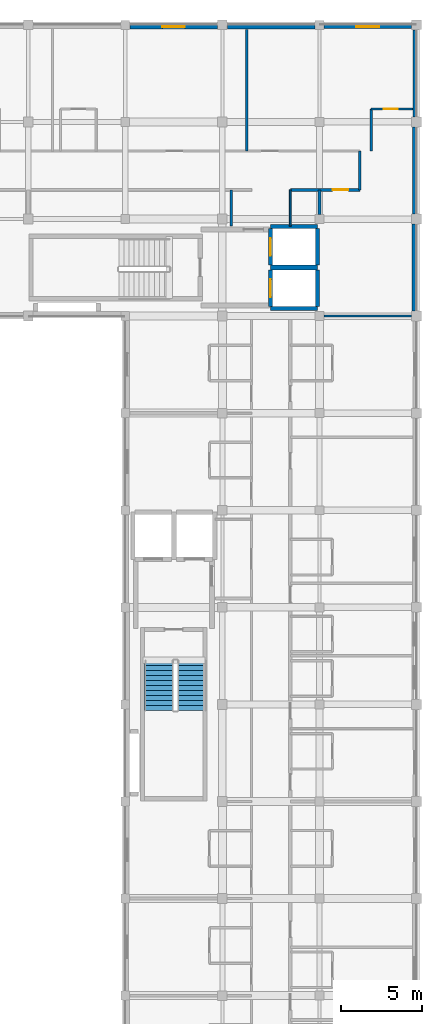
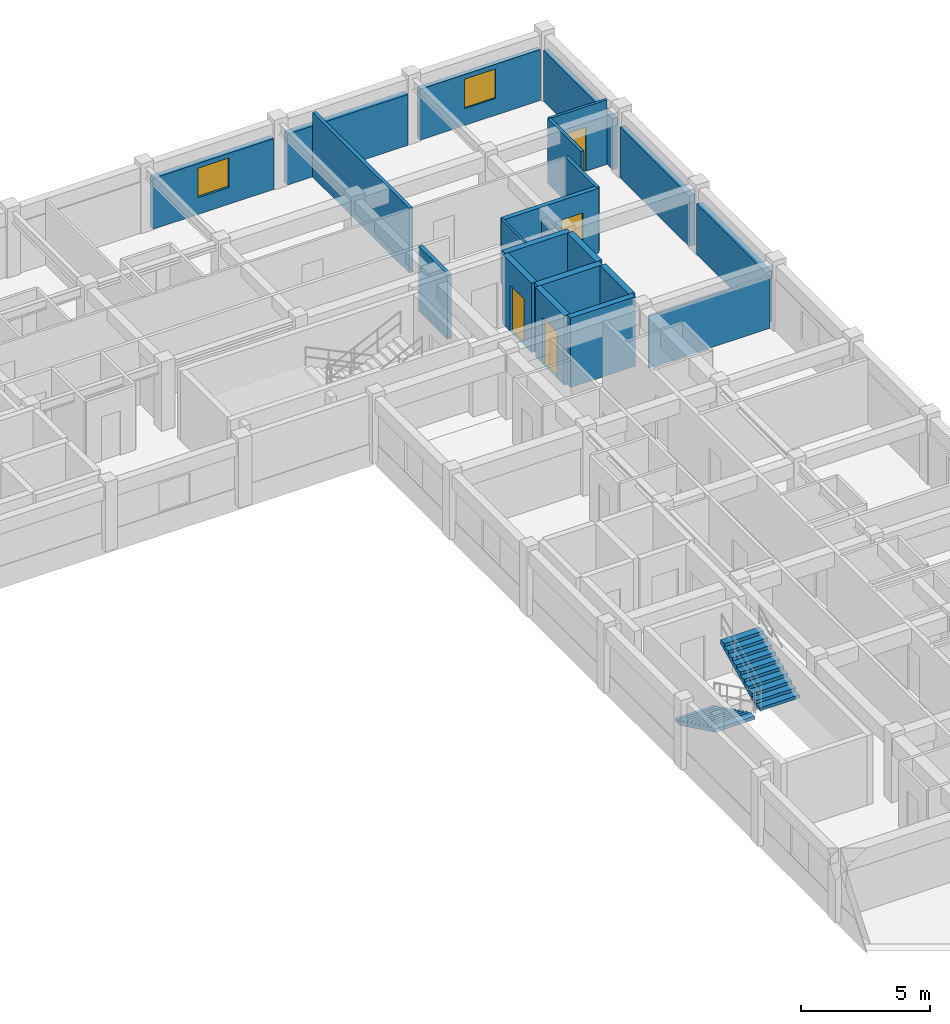
# One storey, part 15 of 21: 22 walls, 4 doors, 2 stair flights, 2 windows, 6 openings, 1 element without a shape of its own.
"""IFC4 building model written with IfcOpenShell, lengths in metres."""

import ifcopenshell
import ifcopenshell.guid

model = None  # the IFC model being written
_history = None  # IfcOwnerHistory: only IFC2X3 demands one
_inside = {}  # id of a spatial element -> (the spatial element, [elements in it])
_under = {}  # id of a project, library or spatial element -> (it, [spatial elements below it])
_declared = {}  # id of a project -> (the project, [libraries it declares])
_typed = {}  # id of a type object -> (the type object, [elements of that type])
_made_of = {}  # id of a material, layer set ... -> (it, [elements and type objects made of it])


def new_model(schema):
    """Start an empty IFC model of exactly this schema.

    Asked for "IFC4X3", IfcOpenShell would pick the latest addendum, in which some entities
    have other attributes; the version numbers below select the first issue.
    IFC2X3 requires an IfcOwnerHistory on every rooted entity: one is made here for all.
    """
    global model, _history
    if schema == "IFC4X3":
        model = ifcopenshell.file(schema_version=(4, 3, 0, 0))
    else:
        model = ifcopenshell.file(schema=schema)
    _inside.clear()
    _under.clear()
    _declared.clear()
    _typed.clear()
    _made_of.clear()
    _history = None
    if model.schema == "IFC2X3":
        org = make("IfcOrganization", Name="unknown")
        user = make(
            "IfcPersonAndOrganization",
            ThePerson=make("IfcPerson", FamilyName="unknown"),
            TheOrganization=org,
        )
        app = make(
            "IfcApplication",
            ApplicationDeveloper=org,
            Version="unknown",
            ApplicationFullName="unknown",
            ApplicationIdentifier="unknown",
        )
        _history = make(
            "IfcOwnerHistory",
            OwningUser=user,
            OwningApplication=app,
            ChangeAction="ADDED",
            CreationDate=0,
        )
    return model


def make(cls, **values):
    """One entity of the class cls with the attributes given. An attribute that is None is left unset."""
    return model.create_entity(
        cls, **{name: value for name, value in values.items() if value is not None}
    )


def rooted(cls, **values):
    """An entity with a GlobalId (a new one), such as an element, a storey or a relation."""
    return make(cls, GlobalId=ifcopenshell.guid.new(), OwnerHistory=_history, **values)


def si_unit(unit_type, name, prefix=None):
    """IfcSIUnit, for example si_unit("LENGTHUNIT", "METRE", prefix="MILLI")."""
    return make("IfcSIUnit", UnitType=unit_type, Prefix=prefix, Name=name)


def assignment(units):
    """IfcUnitAssignment: the units of a project."""
    return None if units is None else make("IfcUnitAssignment", Units=units)


def point(xyz):
    """IfcCartesianPoint."""
    return None if xyz is None else make("IfcCartesianPoint", Coordinates=xyz)


def direction(xyz):
    """IfcDirection."""
    return None if xyz is None else make("IfcDirection", DirectionRatios=xyz)


def frame(location, z_axis=None, x_axis=None):
    """IfcAxis2Placement3D, a coordinate frame: its origin and axes. An axis left out is left unset."""
    return make(
        "IfcAxis2Placement3D",
        Location=point(location),
        Axis=direction(z_axis),
        RefDirection=direction(x_axis),
    )


def frame_2d(location, x_axis=None):
    """IfcAxis2Placement2D, a coordinate frame in the plane: its origin and x axis."""
    return make(
        "IfcAxis2Placement2D", Location=point(location), RefDirection=direction(x_axis)
    )


def origin():
    """The frame at (0, 0, 0) with its axes left unset."""
    return frame((0.0, 0.0, 0.0))


def place(relative_to, where):
    """IfcLocalPlacement: puts the frame where relative to a parent placement (None: the world)."""
    return make(
        "IfcLocalPlacement", PlacementRelTo=relative_to, RelativePlacement=where
    )


def context(
    kind, dimensions, precision=None, world=None, true_north=None, identifier=None
):
    """IfcGeometricRepresentationContext, for example the 3D "Model" context."""
    return make(
        "IfcGeometricRepresentationContext",
        ContextIdentifier=identifier,
        ContextType=kind,
        CoordinateSpaceDimension=dimensions,
        Precision=precision,
        WorldCoordinateSystem=world,
        TrueNorth=true_north,
    )


def subcontext(parent, identifier, kind, view, scale=None):
    """IfcGeometricRepresentationSubContext, for example "Body" below "Model"."""
    return make(
        "IfcGeometricRepresentationSubContext",
        ContextIdentifier=identifier,
        ContextType=kind,
        ParentContext=parent,
        TargetScale=scale,
        TargetView=view,
    )


def project(units=None, contexts=None):
    """IfcProject with its units and contexts."""
    return rooted(
        "IfcProject",
        Name="project",
        RepresentationContexts=contexts,
        UnitsInContext=assignment(units),
    )


def spatial(cls, under=None, at=None, **own):
    """A site, building, storey or space (cls), placed at a placement, below another one or the project."""
    s = rooted(cls, ObjectPlacement=at, **own)
    if under is not None:
        _under.setdefault(under.id(), (under, []))[1].append(s)
    return s


def polyline(points):
    """IfcPolyline through the points."""
    return make("IfcPolyline", Points=[point(p) for p in points])


def profile(cls, at=None, kind="AREA", **sizes):
    """A parametric profile (cls). Its sizes go by their IFC names, for example OverallWidth=200.0."""
    return make(cls, ProfileType=kind, Position=at, **sizes)


def rectangle(**sizes):
    """IfcRectangleProfileDef."""
    return profile("IfcRectangleProfileDef", **sizes)


def outline(outer, holes=None, kind="AREA"):
    """IfcArbitraryClosedProfileDef: a profile drawn as a closed curve; with holes, ...WithVoids."""
    if holes is None:
        return make("IfcArbitraryClosedProfileDef", ProfileType=kind, OuterCurve=outer)
    return make(
        "IfcArbitraryProfileDefWithVoids",
        ProfileType=kind,
        OuterCurve=outer,
        InnerCurves=holes,
    )


def extrude(swept, where, along, depth):
    """IfcExtrudedAreaSolid: the profile swept, set in the frame where, extruded along a direction by depth."""
    return make(
        "IfcExtrudedAreaSolid",
        SweptArea=swept,
        Position=where,
        ExtrudedDirection=direction(along),
        Depth=depth,
    )


def shape(context_of_items, identifier, shape_type, items):
    """IfcShapeRepresentation: the items that make up one representation, for example the "Body"."""
    return make(
        "IfcShapeRepresentation",
        ContextOfItems=context_of_items,
        RepresentationIdentifier=identifier,
        RepresentationType=shape_type,
        Items=items,
    )


def material(Name=None, Category=None):
    """IfcMaterial."""
    return make("IfcMaterial", Name=Name, Category=Category)


def layer(
    of_material, thickness, ventilated=None, Name=None, Category=None, Priority=None
):
    """IfcMaterialLayer: one layer of a wall or slab, of a material (None: an air gap)."""
    return make(
        "IfcMaterialLayer",
        Material=of_material,
        LayerThickness=thickness,
        IsVentilated=ventilated,
        Name=Name,
        Category=Category,
        Priority=Priority,
    )


def layer_set(layers, Name=None):
    """IfcMaterialLayerSet."""
    return make("IfcMaterialLayerSet", MaterialLayers=layers, LayerSetName=Name)


def made_of(thing, what):
    """Note that an element or type object is made of a material, layer set ...; save() writes the relation."""
    if what is not None:
        _made_of.setdefault(what.id(), (what, []))[1].append(thing)
    return thing


def type_object(cls, material=None, **own):
    """A type object (cls), such as IfcWallType, which elements share."""
    return made_of(rooted(cls, **own), material)


def element(
    cls,
    number,
    at=None,
    inside=None,
    cuts=None,
    type_object=None,
    material=None,
    context=None,
    identifier="Body",
    shape_type=None,
    held_by="IfcProductDefinitionShape",
    body=None,
    shapes=None,
    **own,
):
    """One element of the class cls, such as IfcWall. Its Tag is "e" and its number.

    at: its placement. inside: the storey or other place that contains it. cuts: it is an
    opening in that element (IfcRelVoidsElement). A single representation is given by context,
    identifier, shape_type and body (its items); several are given by shapes. held_by: the class
    of the entity that holds the representations. save() writes the other relations.
    """
    e = rooted(cls, Tag="e%d" % number, ObjectPlacement=at, **own)
    if body is not None:
        shapes = [shape(context, identifier, shape_type, body)]
    if shapes is not None:
        e.Representation = make(held_by, Representations=shapes)
    if inside is not None:
        _inside.setdefault(inside.id(), (inside, []))[1].append(e)
    if cuts is not None:
        rooted(
            "IfcRelVoidsElement", RelatingBuildingElement=cuts, RelatedOpeningElement=e
        )
    if type_object is not None:
        _typed.setdefault(type_object.id(), (type_object, []))[1].append(e)
    return made_of(e, material)


def fill(opening, filler):
    """IfcRelFillsElement: the door or window that sits in an opening."""
    return rooted(
        "IfcRelFillsElement",
        RelatingOpeningElement=opening,
        RelatedBuildingElement=filler,
    )


def aggregate(whole, parts):
    """IfcRelAggregates: a whole, such as a stair, and the parts it consists of."""
    return rooted("IfcRelAggregates", RelatingObject=whole, RelatedObjects=parts)


def save(model, path):
    """Write the relations noted so far, then the file.

    IfcRelAggregates (storeys below a building ...), IfcRelContainedInSpatialStructure (elements
    in a storey), IfcRelDefinesByType, IfcRelAssociatesMaterial and IfcRelDeclares: one each for
    every whole, place, type object, material and project.
    """
    for whole, parts in _under.values():
        aggregate(whole, parts)
    for where, things in _inside.values():
        rooted(
            "IfcRelContainedInSpatialStructure",
            RelatedElements=things,
            RelatingStructure=where,
        )
    for kind, things in _typed.values():
        rooted("IfcRelDefinesByType", RelatedObjects=things, RelatingType=kind)
    for what, things in _made_of.values():
        rooted("IfcRelAssociatesMaterial", RelatedObjects=things, RelatingMaterial=what)
    for by, libraries in _declared.values():
        rooted("IfcRelDeclares", RelatingContext=by, RelatedDefinitions=libraries)
    model.write(path)


model = new_model("IFC4")

# Units and contexts
model_context = context("Model", 3, precision=1e-05, world=origin(), true_north=direction((0.0, 1.0)))
body_context = subcontext(model_context, "Body", "Model", "MODEL_VIEW")
ifc_project = project(units=[si_unit("LENGTHUNIT", "METRE"), si_unit("AREAUNIT", "SQUARE_METRE"), si_unit("VOLUMEUNIT", "CUBIC_METRE"), si_unit("PLANEANGLEUNIT", "RADIAN"), si_unit("MASSUNIT", "GRAM", prefix="KILO"), si_unit("THERMODYNAMICTEMPERATUREUNIT", "KELVIN"), si_unit("POWERUNIT", "WATT")], contexts=[model_context])

# Site, building, storey
site_placement = place(None, origin())
site = spatial("IfcSite", under=ifc_project, at=site_placement, CompositionType="ELEMENT")
building_placement = place(site_placement, origin())
building = spatial("IfcBuilding", under=site, at=building_placement, Name="Phaisarnlok Congress Hotel", CompositionType="ELEMENT")
storey_placement = place(building_placement, frame((0.0, 0.0, 31.5)))
storey = spatial("IfcBuildingStorey", under=building, at=storey_placement, Name="L07", CompositionType="ELEMENT", Elevation=31.5)

# Wall, opening, window
ifc_material_1 = material(Name="Concrete C40/50", Category="concrete")
ifc_layer_1 = layer(ifc_material_1, 0.2099609375, Name="Concrete C40/50")
ifc_layer_set_1 = layer_set([ifc_layer_1], Name="Concrete C40/50")
wall_type_1 = type_object("IfcWallType", Name="WL-EXT-210", PredefinedType="SOLIDWALL", material=ifc_layer_set_1)
wall_1_placement = place(storey_placement, frame((179.695068359375, 125.89501953125, 0.0), z_axis=(0.0, 0.0, 1.0), x_axis=(-1.0, 0.0, 0.0)))
wall_1 = element("IfcWall", 1, at=wall_1_placement, inside=storey, type_object=wall_type_1, Name="Exterior wall EW-07 (L07)", PredefinedType="SOLIDWALL", context=body_context, shape_type="SweptSolid", body=[
    extrude(rectangle(XDim=5.4150390625, YDim=0.2099609375, at=frame_2d((2.70751953125, 0.0))), origin(), (0.0, 0.0, 1.0), 2.419921875),
])
opening_1_placement = place(wall_1_placement, frame((2.007080078125, 0.0, 0.800048828125)))
opening_1 = element("IfcOpeningElement", 2, at=opening_1_placement, cuts=wall_1, Name="Opening W-13", PredefinedType="OPENING", context=body_context, shape_type="SweptSolid", body=[
    extrude(rectangle(XDim=1.39990234375, YDim=1.39990234375, at=frame_2d((0.699951171875, 0.699951171875))), frame((0.0, 0.114990234375, 0.0), z_axis=(0.0, -1.0, 0.0), x_axis=(1.0, 0.0, 0.0)), (0.0, 0.0, 1.0), 0.22998046875),
])
ifc_material_2 = material(Name="Thermally Broken Aluminium & Low-E Double Glazing", Category="aluminium")
window_type = type_object("IfcWindowType", Name="WIN-POD-1400", PartitioningType="SINGLE_PANEL", PredefinedType="WINDOW", material=ifc_material_2)
window_1_placement = place(opening_1_placement, origin())
window_1 = element("IfcWindow", 3, at=window_1_placement, inside=storey, type_object=window_type, Name="Guestroom window W-13 (L07)", OverallHeight=1.39990234375, OverallWidth=1.39990234375, PartitioningType="SINGLE_PANEL", PredefinedType="WINDOW", context=body_context, shape_type="SweptSolid", body=[
    extrude(rectangle(XDim=1.39990234375, YDim=1.39990234375, at=frame_2d((0.699951171875, 0.699951171875))), frame((0.0, 0.030029296875, 0.0), z_axis=(0.0, -1.0, 0.0), x_axis=(1.0, 0.0, 0.0)), (0.0, 0.0, 1.0), 0.06005859375),
])
fill(opening_1, window_1)

# Walls
ifc_layer_2 = layer(ifc_material_1, 0.22998046875, Name="Concrete C40/50")
ifc_layer_set_2 = layer_set([ifc_layer_2], Name="Concrete C40/50")
wall_type_2 = type_object("IfcWallType", Name="WL-EXT-230", PredefinedType="SOLIDWALL", material=ifc_layer_set_2)
wall_2_placement = place(storey_placement, frame((179.885009765625, 120.304931640625, 0.0), z_axis=(0.0, 0.0, 1.0), x_axis=(0.0, 1.0, 0.0)))
element("IfcWall", 4, at=wall_2_placement, inside=storey, type_object=wall_type_2, Name="Exterior wall EW-06 (L07)", PredefinedType="SOLIDWALL", context=body_context, shape_type="SweptSolid", body=[
    extrude(rectangle(XDim=5.39013671875, YDim=0.22998046875, at=frame_2d((2.695068359375, 0.0))), origin(), (0.0, 0.0, 1.0), 2.419921875),
])
ifc_layer_3 = layer(ifc_material_1, 0.25, Name="Concrete C40/50")
ifc_layer_set_3 = layer_set([ifc_layer_3], Name="Concrete C40/50")
wall_type_3 = type_object("IfcWallType", Name="WL-EXT-250", PredefinedType="SOLIDWALL", material=ifc_layer_set_3)
wall_3_placement = place(storey_placement, frame((179.875, 114.304931640625, 0.0), z_axis=(0.0, 0.0, 1.0), x_axis=(0.0, 1.0, 0.0)))
element("IfcWall", 5, at=wall_3_placement, inside=storey, type_object=wall_type_3, Name="Exterior wall EW-05 (L07)", PredefinedType="SOLIDWALL", context=body_context, shape_type="SweptSolid", body=[
    extrude(rectangle(XDim=5.39013671875, YDim=0.25, at=frame_2d((2.695068359375, 0.0))), origin(), (0.0, 0.0, 1.0), 2.419921875),
])

# Wall, opening, window
wall_4_placement = place(storey_placement, frame((167.695068359375, 125.875, 0.0), z_axis=(0.0, 0.0, 1.0), x_axis=(-1.0, 0.0, 0.0)))
wall_4 = element("IfcWall", 6, at=wall_4_placement, inside=storey, type_object=wall_type_3, Name="Exterior wall EW-05 (L07)", PredefinedType="SOLIDWALL", context=body_context, shape_type="SweptSolid", body=[
    extrude(rectangle(XDim=5.4150390625, YDim=0.25, at=frame_2d((2.70751953125, 0.0))), origin(), (0.0, 0.0, 1.0), 2.419921875),
])
opening_2_placement = place(wall_4_placement, frame((2.007080078125, 0.0, 0.800048828125)))
opening_2 = element("IfcOpeningElement", 7, at=opening_2_placement, cuts=wall_4, Name="Opening W-13", PredefinedType="OPENING", context=body_context, shape_type="SweptSolid", body=[
    extrude(rectangle(XDim=1.39990234375, YDim=1.39990234375, at=frame_2d((0.699951171875, 0.699951171875))), frame((0.0, 0.135009765625, 0.0), z_axis=(0.0, -1.0, 0.0), x_axis=(1.0, 0.0, 0.0)), (0.0, 0.0, 1.0), 0.27001953125),
])
window_2_placement = place(opening_2_placement, origin())
window_2 = element("IfcWindow", 8, at=window_2_placement, inside=storey, type_object=window_type, Name="Guestroom window W-13 (L07)", OverallHeight=1.39990234375, OverallWidth=1.39990234375, PartitioningType="SINGLE_PANEL", PredefinedType="WINDOW", context=body_context, shape_type="SweptSolid", body=[
    extrude(rectangle(XDim=1.39990234375, YDim=1.39990234375, at=frame_2d((0.699951171875, 0.699951171875))), frame((0.0, 0.030029296875, 0.0), z_axis=(0.0, -1.0, 0.0), x_axis=(1.0, 0.0, 0.0)), (0.0, 0.0, 1.0), 0.06005859375),
])
fill(opening_2, window_2)

# Walls
ifc_layer_4 = layer(ifc_material_1, 0.27001953125, Name="Concrete C40/50")
ifc_layer_set_4 = layer_set([ifc_layer_4], Name="Concrete C40/50")
wall_type_4 = type_object("IfcWallType", Name="WL-EXT-270", PredefinedType="SOLIDWALL", material=ifc_layer_set_4)
wall_5_placement = place(storey_placement, frame((179.864990234375, 108.304931640625, 0.0), z_axis=(0.0, 0.0, 1.0), x_axis=(0.0, 1.0, 0.0)))
element("IfcWall", 9, at=wall_5_placement, inside=storey, type_object=wall_type_4, Name="Exterior wall EW-04 (L07)", PredefinedType="SOLIDWALL", context=body_context, shape_type="SweptSolid", body=[
    extrude(rectangle(XDim=5.39013671875, YDim=0.27001953125, at=frame_2d((2.695068359375, 0.0))), origin(), (0.0, 0.0, 1.0), 2.419921875),
])
wall_6_placement = place(storey_placement, frame((173.719970703125, 125.864990234375, 0.0), z_axis=(0.0, 0.0, 1.0), x_axis=(-1.0, 0.0, 0.0)))
element("IfcWall", 10, at=wall_6_placement, inside=storey, type_object=wall_type_4, Name="Exterior wall EW-04 (L07)", PredefinedType="SOLIDWALL", context=body_context, shape_type="SweptSolid", body=[
    extrude(rectangle(XDim=5.4150390625, YDim=0.27001953125, at=frame_2d((2.70751953125, 0.0))), origin(), (0.0, 0.0, 1.0), 2.419921875),
])
ifc_material_3 = material(Name="Service Riser Shaftwall Partition", Category="gypsum")
ifc_layer_5 = layer(ifc_material_3, 0.10498046875, Name="Service Riser Shaftwall Partition")
ifc_layer_set_5 = layer_set([ifc_layer_5], Name="Service Riser Shaftwall Partition")
wall_type_5 = type_object("IfcWallType", Name="WL-INT-105", PredefinedType="PARTITIONING", material=ifc_layer_set_5)
wall_7_placement = place(storey_placement, frame((172.199951171875, 113.56005859375, 0.0), z_axis=(0.0, 0.0, 1.0), x_axis=(0.0, 1.0, 0.0)))
element("IfcWall", 11, at=wall_7_placement, inside=storey, type_object=wall_type_5, Name="Interior partition wall IW-08 (L07)", PredefinedType="PARTITIONING", context=body_context, shape_type="SweptSolid", body=[
    extrude(rectangle(XDim=2.239990234375, YDim=0.10498046875, at=frame_2d((1.1201171875, 0.0))), origin(), (0.0, 0.0, 1.0), 3.070068359375),
])
wall_8_placement = place(storey_placement, frame((174.280029296875, 108.0, 0.0), z_axis=(0.0, 0.0, 1.0), x_axis=(1.0, 0.0, 0.0)))
element("IfcWall", 12, at=wall_8_placement, inside=storey, type_object=wall_type_5, Name="Interior partition wall IW-08 (L07)", PredefinedType="PARTITIONING", context=body_context, shape_type="SweptSolid", body=[
    extrude(rectangle(XDim=5.4150390625, YDim=0.10498046875, at=frame_2d((2.70751953125, 0.0))), origin(), (0.0, 0.0, 1.0), 2.469970703125),
])

# Wall, opening, door
ifc_material_4 = material(Name="Lightweight Metal-Stud Gypsum Partition", Category="gypsum")
ifc_layer_6 = layer(ifc_material_4, 0.1201171875, Name="Lightweight Metal-Stud Gypsum Partition")
ifc_layer_set_6 = layer_set([ifc_layer_6], Name="Lightweight Metal-Stud Gypsum Partition")
wall_type_6 = type_object("IfcWallType", Name="WL-INT-120", PredefinedType="PARTITIONING", material=ifc_layer_set_6)
wall_9_placement = place(storey_placement, frame((177.199951171875, 120.800048828125, 0.0), z_axis=(0.0, 0.0, 1.0), x_axis=(1.0, 0.0, 0.0)))
wall_9 = element("IfcWall", 13, at=wall_9_placement, inside=storey, type_object=wall_type_6, Name="Interior partition wall IW-07 (L07)", PredefinedType="PARTITIONING", context=body_context, shape_type="SweptSolid", body=[
    extrude(rectangle(XDim=2.56494140625, YDim=0.1201171875, at=frame_2d((1.282470703125, 0.0))), origin(), (0.0, 0.0, 1.0), 3.070068359375),
])
opening_3_placement = place(wall_9_placement, frame((0.77490234375, 0.0, 0.0)))
opening_3 = element("IfcOpeningElement", 14, at=opening_3_placement, cuts=wall_9, Name="Opening D-0353", PredefinedType="OPENING", context=body_context, shape_type="SweptSolid", body=[
    extrude(rectangle(XDim=0.85009765625, YDim=2.10009765625, at=frame_2d((0.425048828125, 1.050048828125))), frame((0.0, 0.070068359375, 0.0), z_axis=(0.0, -1.0, 0.0), x_axis=(1.0, 0.0, 0.0)), (0.0, 0.0, 1.0), 0.14013671875),
])
ifc_material_5 = material(Name="Moisture-Resistant Lacquered Timber", Category="wood")
door_type_1 = type_object("IfcDoorType", Name="DR-BATH-850", OperationType="NOTDEFINED", PredefinedType="DOOR", material=ifc_material_5)
door_1_placement = place(opening_3_placement, origin())
door_1 = element("IfcDoor", 15, at=door_1_placement, inside=storey, type_object=door_type_1, Name="Interior door D-0353 (L07)", OperationType="SINGLE_SWING_LEFT", OverallHeight=2.10009765625, OverallWidth=0.85009765625, PredefinedType="DOOR", context=body_context, shape_type="SweptSolid", body=[
    extrude(rectangle(XDim=0.85009765625, YDim=2.10009765625, at=frame_2d((0.425048828125, 1.050048828125))), frame((0.0, 0.02490234375, 0.0), z_axis=(0.0, -1.0, 0.0), x_axis=(1.0, 0.0, 0.0)), (0.0, 0.0, 1.0), 0.050048828125),
])
fill(opening_3, door_1)

# Walls
ifc_material_6 = material(Name="Moisture-Resistant Gypsum Partition", Category="gypsum")
ifc_layer_7 = layer(ifc_material_6, 0.135009765625, Name="Moisture-Resistant Gypsum Partition")
ifc_layer_set_7 = layer_set([ifc_layer_7], Name="Moisture-Resistant Gypsum Partition")
wall_type_7 = type_object("IfcWallType", Name="WL-INT-135", PredefinedType="PARTITIONING", material=ifc_layer_set_7)
wall_10_placement = place(storey_placement, frame((177.199951171875, 118.199951171875, 0.0), z_axis=(0.0, 0.0, 1.0), x_axis=(0.0, 1.0, 0.0)))
element("IfcWall", 16, at=wall_10_placement, inside=storey, type_object=wall_type_7, Name="Interior partition wall IW-06 (L07)", PredefinedType="PARTITIONING", context=body_context, shape_type="SweptSolid", body=[
    extrude(rectangle(XDim=2.60009765625, YDim=0.135009765625, at=frame_2d((1.300048828125, 0.0))), origin(), (0.0, 0.0, 1.0), 3.070068359375),
])
ifc_material_7 = material(Name="Acoustic Gypsum Board & Mineral Wool", Category="gypsum")
ifc_layer_8 = layer(ifc_material_7, 0.14990234375, Name="Acoustic Gypsum Board & Mineral Wool")
ifc_layer_set_8 = layer_set([ifc_layer_8], Name="Acoustic Gypsum Board & Mineral Wool")
wall_type_8 = type_object("IfcWallType", Name="WL-INT-150", PredefinedType="PARTITIONING", material=ifc_layer_set_8)
wall_11_placement = place(storey_placement, frame((176.5, 115.800048828125, 0.0), z_axis=(0.0, 0.0, 1.0), x_axis=(0.0, 1.0, 0.0)))
element("IfcWall", 17, at=wall_11_placement, inside=storey, type_object=wall_type_8, Name="Interior partition wall IW-05 (L07)", PredefinedType="PARTITIONING", context=body_context, shape_type="SweptSolid", body=[
    extrude(rectangle(XDim=2.39990234375, YDim=0.14990234375, at=frame_2d((1.199951171875, 0.0))), origin(), (0.0, 0.0, 1.0), 3.070068359375),
])
ifc_material_8 = material(Name="Double-Stud Acoustic Gypsum Partition", Category="gypsum")
ifc_layer_9 = layer(ifc_material_8, 0.159912109375, Name="Double-Stud Acoustic Gypsum Partition")
ifc_layer_set_9 = layer_set([ifc_layer_9], Name="Double-Stud Acoustic Gypsum Partition")
wall_type_9 = type_object("IfcWallType", Name="WL-INT-160", PredefinedType="PARTITIONING", material=ifc_layer_set_9)
wall_12_placement = place(storey_placement, frame((169.5, 118.199951171875, 0.0), z_axis=(0.0, 0.0, 1.0), x_axis=(0.0, 1.0, 0.0)))
element("IfcWall", 18, at=wall_12_placement, inside=storey, type_object=wall_type_9, Name="Interior partition wall IW-04 (L07)", PredefinedType="PARTITIONING", context=body_context, shape_type="SweptSolid", body=[
    extrude(rectangle(XDim=7.525146484375, YDim=0.159912109375, at=frame_2d((3.7626953125, 0.0))), origin(), (0.0, 0.0, 1.0), 3.070068359375),
])
ifc_material_9 = material(Name="Autoclaved Aerated Concrete Block", Category="concrete")
ifc_layer_10 = layer(ifc_material_9, 0.179931640625, Name="Autoclaved Aerated Concrete Block")
ifc_layer_set_10 = layer_set([ifc_layer_10], Name="Autoclaved Aerated Concrete Block")
wall_type_10 = type_object("IfcWallType", Name="WL-INT-180", PredefinedType="PARTITIONING", material=ifc_layer_set_10)
wall_13_placement = place(storey_placement, frame((168.550048828125, 113.56005859375, 0.0), z_axis=(0.0, 0.0, 1.0), x_axis=(0.0, 1.0, 0.0)))
element("IfcWall", 19, at=wall_13_placement, inside=storey, type_object=wall_type_10, Name="Interior partition wall IW-03 (L07)", PredefinedType="PARTITIONING", context=body_context, shape_type="SweptSolid", body=[
    extrude(rectangle(XDim=2.239990234375, YDim=0.179931640625, at=frame_2d((1.1201171875, 0.0))), origin(), (0.0, 0.0, 1.0), 3.070068359375),
])
wall_14_placement = place(storey_placement, frame((174.0, 114.280029296875, 0.0), z_axis=(0.0, 0.0, 1.0), x_axis=(0.0, 1.0, 0.0)))
element("IfcWall", 20, at=wall_14_placement, inside=storey, type_object=wall_type_10, Name="Interior partition wall IW-03 (L07)", PredefinedType="PARTITIONING", context=body_context, shape_type="SweptSolid", body=[
    extrude(rectangle(XDim=1.52001953125, YDim=0.179931640625, at=frame_2d((0.760009765625, 0.0))), origin(), (0.0, 0.0, 1.0), 2.52001953125),
])

# Wall, opening, door
ifc_layer_11 = layer(ifc_material_9, 0.199951171875, Name="Autoclaved Aerated Concrete Block")
ifc_layer_set_11 = layer_set([ifc_layer_11], Name="Autoclaved Aerated Concrete Block")
wall_type_11 = type_object("IfcWallType", Name="WL-INT-200", PredefinedType="PARTITIONING", material=ifc_layer_set_11)
wall_15_placement = place(storey_placement, frame((172.199951171875, 115.800048828125, 0.0), z_axis=(0.0, 0.0, 1.0), x_axis=(1.0, 0.0, 0.0)))
wall_15 = element("IfcWall", 21, at=wall_15_placement, inside=storey, type_object=wall_type_11, Name="Interior partition wall IW-02 (L07)", PredefinedType="PARTITIONING", context=body_context, shape_type="SweptSolid", body=[
    extrude(rectangle(XDim=4.300048828125, YDim=0.199951171875, at=frame_2d((2.14990234375, 0.0))), origin(), (0.0, 0.0, 1.0), 3.070068359375),
])
opening_4_placement = place(wall_15_placement, frame((2.6201171875, 0.0, 0.0)))
opening_4 = element("IfcOpeningElement", 22, at=opening_4_placement, cuts=wall_15, Name="Opening D-0381", PredefinedType="OPENING", context=body_context, shape_type="SweptSolid", body=[
    extrude(rectangle(XDim=0.9599609375, YDim=2.14990234375, at=frame_2d((0.47998046875, 1.074951171875))), frame((0.0, 0.10986328125, 0.0), z_axis=(0.0, -1.0, 0.0), x_axis=(1.0, 0.0, 0.0)), (0.0, 0.0, 1.0), 0.219970703125),
])
ifc_material_10 = material(Name="Fire-Rated Steel Frame & Timber Leaf", Category="steel")
door_type_2 = type_object("IfcDoorType", Name="DR-FD60-950", OperationType="NOTDEFINED", PredefinedType="DOOR", material=ifc_material_10)
door_2_placement = place(opening_4_placement, origin())
door_2 = element("IfcDoor", 23, at=door_2_placement, inside=storey, type_object=door_type_2, Name="Interior door D-0381 (L07)", OperationType="SINGLE_SWING_LEFT", OverallHeight=2.14990234375, OverallWidth=0.9599609375, PredefinedType="DOOR", context=body_context, shape_type="SweptSolid", body=[
    extrude(rectangle(XDim=0.9599609375, YDim=2.14990234375, at=frame_2d((0.47998046875, 1.074951171875))), frame((0.0, 0.02490234375, 0.0), z_axis=(0.0, -1.0, 0.0), x_axis=(1.0, 0.0, 0.0)), (0.0, 0.0, 1.0), 0.050048828125),
])
fill(opening_4, door_2)

# Walls
ifc_material_11 = material(Name="Concrete C50/60", Category="concrete")
ifc_layer_12 = layer(ifc_material_11, 0.260009765625, Name="Concrete C50/60")
ifc_layer_set_12 = layer_set([ifc_layer_12], Name="Concrete C50/60")
wall_type_12 = type_object("IfcWallType", Name="WL-SHR-260", PredefinedType="SHEAR", material=ifc_layer_set_12)
wall_16_placement = place(storey_placement, frame((170.969970703125, 108.469970703125, 0.0), z_axis=(0.0, 0.0, 1.0), x_axis=(1.0, 0.0, 0.0)))
element("IfcWall", 24, at=wall_16_placement, inside=storey, type_object=wall_type_12, Name="Lift shaft shear wall SW-04 (LF-FF1 L07)", PredefinedType="SHEAR", context=body_context, shape_type="SweptSolid", body=[
    extrude(rectangle(XDim=2.909912109375, YDim=0.260009765625, at=frame_2d((1.455078125, 0.0))), origin(), (0.0, 0.0, 1.0), 3.300048828125),
])
wall_17_placement = place(storey_placement, frame((173.8798828125, 108.60009765625, 0.0), z_axis=(0.0, 0.0, 1.0), x_axis=(0.0, 1.0, 0.0)))
element("IfcWall", 25, at=wall_17_placement, inside=storey, type_object=wall_type_12, Name="Lift shaft shear wall SW-04 (LF-FF1 L07)", PredefinedType="SHEAR", context=body_context, shape_type="SweptSolid", body=[
    extrude(rectangle(XDim=2.25, YDim=0.260009765625, at=frame_2d((1.125, 0.0))), origin(), (0.0, 0.0, 1.0), 3.300048828125),
])

# Wall, opening, door
wall_18_placement = place(storey_placement, frame((170.969970703125, 108.60009765625, 0.0), z_axis=(0.0, 0.0, 1.0), x_axis=(0.0, 1.0, 0.0)))
wall_18 = element("IfcWall", 26, at=wall_18_placement, inside=storey, type_object=wall_type_12, Name="Lift shaft front wall SW-04 (LF-FF1 L07)", PredefinedType="SHEAR", context=body_context, shape_type="SweptSolid", body=[
    extrude(rectangle(XDim=2.25, YDim=0.260009765625, at=frame_2d((1.125, 0.0))), origin(), (0.0, 0.0, 1.0), 3.300048828125),
])
opening_5_placement = place(wall_18_placement, frame((0.574951171875, 0.0, 0.0)))
opening_5 = element("IfcOpeningElement", 27, at=opening_5_placement, cuts=wall_18, Name="Opening LD-009", PredefinedType="OPENING", context=body_context, shape_type="SweptSolid", body=[
    extrude(rectangle(XDim=1.10009765625, YDim=2.199951171875, at=frame_2d((0.550048828125, 1.10009765625))), frame((0.0, 0.14013671875, 0.0), z_axis=(0.0, -1.0, 0.0), x_axis=(1.0, 0.0, 0.0)), (0.0, 0.0, 1.0), 0.280029296875),
])
ifc_material_12 = material(Name="Brushed Stainless Steel Grade 304", Category="steel")
door_type_3 = type_object("IfcDoorType", Name="DR-LD-1100", OperationType="DOUBLE_DOOR_SLIDING", PredefinedType="DOOR", material=ifc_material_12)
door_3_placement = place(opening_5_placement, origin())
door_3 = element("IfcDoor", 28, at=door_3_placement, inside=storey, type_object=door_type_3, Name="Lift landing sliding door LD-009 (LF-FF1 L07)", OperationType="DOUBLE_DOOR_SLIDING", OverallHeight=2.199951171875, OverallWidth=1.10009765625, PredefinedType="DOOR", context=body_context, shape_type="SweptSolid", body=[
    extrude(rectangle(XDim=1.10009765625, YDim=2.199951171875, at=frame_2d((0.550048828125, 1.10009765625))), frame((0.0, 0.02490234375, 0.0), z_axis=(0.0, -1.0, 0.0), x_axis=(1.0, 0.0, 0.0)), (0.0, 0.0, 1.0), 0.050048828125),
])
fill(opening_5, door_3)

# Walls
wall_19_placement = place(storey_placement, frame((170.969970703125, 113.530029296875, 0.0), z_axis=(0.0, 0.0, 1.0), x_axis=(1.0, 0.0, 0.0)))
element("IfcWall", 29, at=wall_19_placement, inside=storey, type_object=wall_type_12, Name="Lift shaft shear wall SW-04 (LF-HP1 L07)", PredefinedType="SHEAR", context=body_context, shape_type="SweptSolid", body=[
    extrude(rectangle(XDim=2.909912109375, YDim=0.260009765625, at=frame_2d((1.455078125, 0.0))), origin(), (0.0, 0.0, 1.0), 3.300048828125),
])
wall_20_placement = place(storey_placement, frame((173.8798828125, 111.14990234375, 0.0), z_axis=(0.0, 0.0, 1.0), x_axis=(0.0, 1.0, 0.0)))
element("IfcWall", 30, at=wall_20_placement, inside=storey, type_object=wall_type_12, Name="Lift shaft shear wall SW-04 (LF-HP1 L07)", PredefinedType="SHEAR", context=body_context, shape_type="SweptSolid", body=[
    extrude(rectangle(XDim=2.25, YDim=0.260009765625, at=frame_2d((1.125, 0.0))), origin(), (0.0, 0.0, 1.0), 3.300048828125),
])

# Wall, opening, door
wall_21_placement = place(storey_placement, frame((170.969970703125, 111.14990234375, 0.0), z_axis=(0.0, 0.0, 1.0), x_axis=(0.0, 1.0, 0.0)))
wall_21 = element("IfcWall", 31, at=wall_21_placement, inside=storey, type_object=wall_type_12, Name="Lift shaft front wall SW-04 (LF-HP1 L07)", PredefinedType="SHEAR", context=body_context, shape_type="SweptSolid", body=[
    extrude(rectangle(XDim=2.25, YDim=0.260009765625, at=frame_2d((1.125, 0.0))), origin(), (0.0, 0.0, 1.0), 3.300048828125),
])
opening_6_placement = place(wall_21_placement, frame((0.574951171875, 0.0, 0.0)))
opening_6 = element("IfcOpeningElement", 32, at=opening_6_placement, cuts=wall_21, Name="Opening LD-024", PredefinedType="OPENING", context=body_context, shape_type="SweptSolid", body=[
    extrude(rectangle(XDim=1.10009765625, YDim=2.199951171875, at=frame_2d((0.550048828125, 1.10009765625))), frame((0.0, 0.14013671875, 0.0), z_axis=(0.0, -1.0, 0.0), x_axis=(1.0, 0.0, 0.0)), (0.0, 0.0, 1.0), 0.280029296875),
])
door_4_placement = place(opening_6_placement, origin())
door_4 = element("IfcDoor", 33, at=door_4_placement, inside=storey, type_object=door_type_3, Name="Lift landing sliding door LD-024 (LF-HP1 L07)", OperationType="DOUBLE_DOOR_SLIDING", OverallHeight=2.199951171875, OverallWidth=1.10009765625, PredefinedType="DOOR", context=body_context, shape_type="SweptSolid", body=[
    extrude(rectangle(XDim=1.10009765625, YDim=2.199951171875, at=frame_2d((0.550048828125, 1.10009765625))), frame((0.0, 0.02490234375, 0.0), z_axis=(0.0, -1.0, 0.0), x_axis=(1.0, 0.0, 0.0)), (0.0, 0.0, 1.0), 0.050048828125),
])
fill(opening_6, door_4)

# Wall
ifc_layer_13 = layer(ifc_material_11, 0.300048828125, Name="Concrete C50/60")
ifc_layer_set_13 = layer_set([ifc_layer_13], Name="Concrete C50/60")
wall_type_13 = type_object("IfcWallType", Name="WL-SHR-300", PredefinedType="SHEAR", material=ifc_layer_set_13)
wall_22_placement = place(storey_placement, frame((170.969970703125, 111.0, 0.0), z_axis=(0.0, 0.0, 1.0), x_axis=(1.0, 0.0, 0.0)))
element("IfcWall", 34, at=wall_22_placement, inside=storey, type_object=wall_type_13, Name="Lift shaft divider shear wall SW-03 (LF-FF1 L07)", PredefinedType="SHEAR", context=body_context, shape_type="SweptSolid", body=[
    extrude(rectangle(XDim=2.909912109375, YDim=0.300048828125, at=frame_2d((1.455078125, 0.0))), origin(), (0.0, 0.0, 1.0), 3.300048828125),
])

# Stair, stair flights
stair_type = type_object("IfcStairType", Name="STR-DOG-05", PredefinedType="HALF_TURN_STAIR", material=ifc_material_1)
stair_placement = place(storey_placement, origin())
stair = element("IfcStair", 35, at=stair_placement, inside=storey, type_object=stair_type, Name="L07 ST-09", PredefinedType="HALF_TURN_STAIR")
stair_flight_type = type_object("IfcStairFlightType", Name="SFL-RC-05", PredefinedType="STRAIGHT", material=ifc_material_1)
stair_flight_1_placement = place(storey_placement, frame((164.090087890625, 86.719970703125, 0.0), z_axis=(0.0, 0.0, 1.0), x_axis=(0.0, -1.0, 0.0)))
stair_flight_1 = element("IfcStairFlight", 36, at=stair_flight_1_placement, type_object=stair_flight_type, Name="ST-09 flight 1", NumberOfRisers=11, NumberOfTreads=10, PredefinedType="STRAIGHT", RiserHeight=0.15, TreadLength=0.31, context=body_context, shape_type="SweptSolid", body=[
    extrude(outline(polyline([(0.0, 0.0), (0.0, 0.14990234375), (0.31005859375, 0.14990234375), (0.31005859375, 0.300048828125), (0.6201171875, 0.300048828125), (0.6201171875, 0.449951171875), (0.929931640625, 0.449951171875), (0.929931640625, 0.60009765625), (1.239990234375, 0.60009765625), (1.239990234375, 0.75), (1.550048828125, 0.75), (1.550048828125, 0.89990234375), (1.860107421875, 0.89990234375), (1.860107421875, 1.050048828125), (2.169921875, 1.050048828125), (2.169921875, 1.199951171875), (2.47998046875, 1.199951171875), (2.47998046875, 1.35009765625), (2.7900390625, 1.35009765625), (2.7900390625, 1.5), (3.10009765625, 1.5), (3.10009765625, 1.64990234375), (3.10009765625, 1.33349609375), (0.34423828125, 0.0), (0.0, 0.0)])), frame((0.0, 0.89013671875, 0.0), z_axis=(0.0, -1.0, 0.0), x_axis=(1.0, 0.0, 0.0)), (0.0, 0.0, 1.0), 1.780029296875),
])
stair_flight_2_placement = place(storey_placement, frame((166.110107421875, 83.6201171875, 1.64990234375), z_axis=(0.0, 0.0, 1.0), x_axis=(0.0, 1.0, 0.0)))
stair_flight_2 = element("IfcStairFlight", 37, at=stair_flight_2_placement, type_object=stair_flight_type, Name="ST-09 flight 2", NumberOfRisers=11, NumberOfTreads=10, PredefinedType="STRAIGHT", RiserHeight=0.15, TreadLength=0.31, context=body_context, shape_type="SweptSolid", body=[
    extrude(outline(polyline([(0.0, 0.0), (0.0, 0.14990234375), (0.31005859375, 0.14990234375), (0.31005859375, 0.300048828125), (0.6201171875, 0.300048828125), (0.6201171875, 0.449951171875), (0.929931640625, 0.449951171875), (0.929931640625, 0.60009765625), (1.239990234375, 0.60009765625), (1.239990234375, 0.75), (1.550048828125, 0.75), (1.550048828125, 0.89990234375), (1.860107421875, 0.89990234375), (1.860107421875, 1.050048828125), (2.169921875, 1.050048828125), (2.169921875, 1.199951171875), (2.47998046875, 1.199951171875), (2.47998046875, 1.35009765625), (2.7900390625, 1.35009765625), (2.7900390625, 1.5), (3.10009765625, 1.5), (3.10009765625, 1.64990234375), (3.10009765625, 1.33349609375), (0.34423828125, 0.0), (0.0, 0.0)])), frame((0.0, 0.89013671875, 0.0), z_axis=(0.0, -1.0, 0.0), x_axis=(1.0, 0.0, 0.0)), (0.0, 0.0, 1.0), 1.780029296875),
])
aggregate(stair, [stair_flight_1, stair_flight_2])

save(model, "model.ifc")
